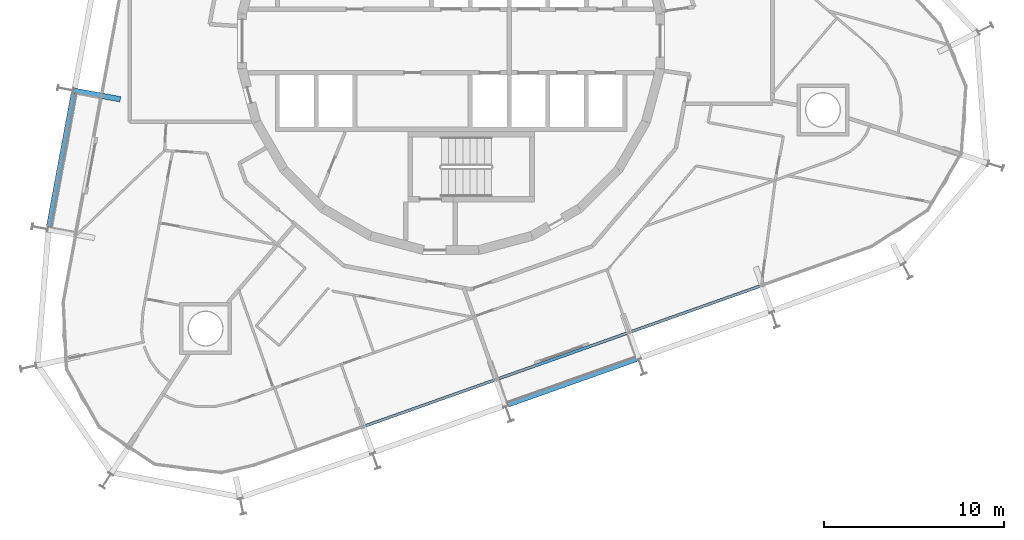
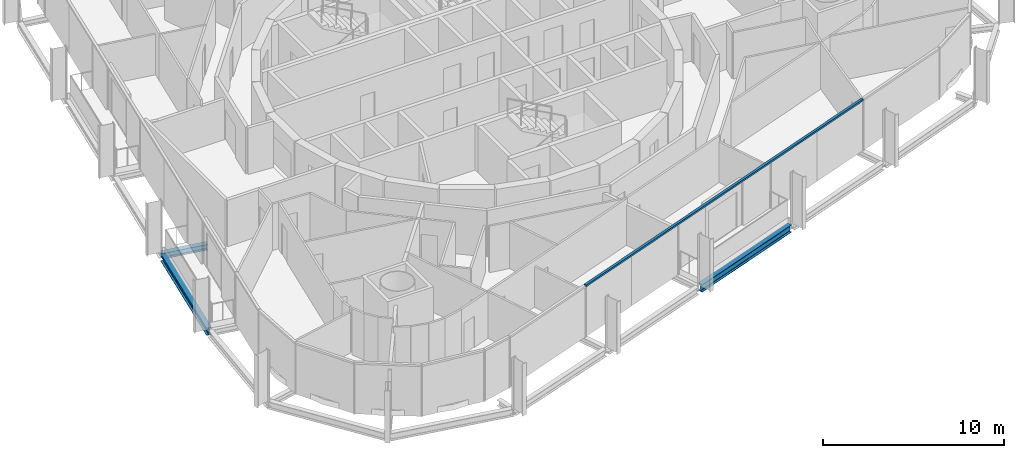
# One storey, part 3 of 17: 3 beams, 1 member, 1 element without a shape of its own.
"""IFC4 building model written with IfcOpenShell, lengths in metres."""

from ifc_helpers import new_model, si_unit, direction, frame, origin, origin_2d, place, context, subcontext, project, spatial, rectangle, i_section, extrude, material, layer, layer_set, material_profile, profile_set, type_object, element, aggregate, save


model = new_model("IFC4")

# Units and contexts
model_context = context("Model", 3, precision=1e-05, world=origin(), true_north=direction((0.0, 1.0)))
body_context = subcontext(model_context, "Body", "Model", "MODEL_VIEW")
ifc_project = project(units=[si_unit("LENGTHUNIT", "METRE"), si_unit("AREAUNIT", "SQUARE_METRE"), si_unit("VOLUMEUNIT", "CUBIC_METRE"), si_unit("PLANEANGLEUNIT", "RADIAN"), si_unit("MASSUNIT", "GRAM", prefix="KILO")], contexts=[model_context])

# Site, building, storey
site_placement = place(None, origin())
site = spatial("IfcSite", under=ifc_project, at=site_placement, CompositionType="ELEMENT")
building_placement = place(site_placement, origin())
building = spatial("IfcBuilding", under=site, at=building_placement, Name="Spindle Arch Residences", CompositionType="ELEMENT")
storey_placement = place(building_placement, frame((0.0, 0.0, 176.199951171875)))
storey = spatial("IfcBuildingStorey", under=building, at=storey_placement, Name="L44", CompositionType="ELEMENT", Elevation=176.199951171875)

# Curtain wall, member
ifc_material_1 = material(Name="Aluminium bronze unitised frame with tinted glass", Category="aluminium")
ifc_layer = layer(ifc_material_1, 0.159912109375)
ifc_layer_set = layer_set([ifc_layer], Name="CW-C typical residential unitised wall")
curtain_wall_type = type_object("IfcCurtainWallType", Name="CW-C typical residential unitised wall", PredefinedType="NOTDEFINED", material=ifc_layer_set)
curtain_wall_placement = place(storey_placement, origin())
curtain_wall = element("IfcCurtainWall", 1, at=curtain_wall_placement, inside=storey, type_object=curtain_wall_type, Name="CW-C L44 run 6", PredefinedType="NOTDEFINED")
ifc_material_2 = material(Name="Aluminium bronze anodised transom", Category="aluminium")
ifc_material_profile_1 = material_profile(ifc_material_2, rectangle(XDim=0.159912109375, YDim=0.1201171875, at=origin_2d()), Name="TR 120x160")
ifc_profile_set_1 = profile_set([ifc_material_profile_1], Name="Aluminium bronze anodised transom")
member_type = type_object("IfcMemberType", Name="Bronze transom 120x160", PredefinedType="USERDEFINED", material=ifc_profile_set_1)
member_placement = place(storey_placement, frame((-4.87255859375, -21.470947265625, 3.06005859375), z_axis=(0.94264008639, 0.333810825963, 0.0), x_axis=(-0.333810825963, 0.94264008639, 0.0)))
member = element("IfcMember", 2, at=member_placement, type_object=member_type, Name="CW-C transom 00", ObjectType="TRANSOM", PredefinedType="USERDEFINED", context=body_context, shape_type="SweptSolid", body=[
    extrude(rectangle(XDim=0.159912109375, YDim=0.1201171875, at=origin_2d()), origin(), (0.0, 0.0, 1.0), 23.520263671875),
])
aggregate(curtain_wall, [member])

# Beams
ifc_material_3 = material(Name="Steel S460ML, intumescent coating R 120", Category="steel")
ifc_material_profile_2 = material_profile(ifc_material_3, i_section(OverallWidth=0.300048828125, OverallDepth=0.5, WebThickness=0.014404296875, FlangeThickness=0.028076171875, FilletRadius=0.027099609375, at=origin_2d()), Name="HEB 500")
ifc_profile_set_2 = profile_set([ifc_material_profile_2], Name="Steel S460ML, intumescent coating R 120")
beam_type_1 = type_object("IfcBeamType", Name="Exoskeleton edge beam HEB 500", PredefinedType="BEAM", material=ifc_profile_set_2)
for number, where, z_axis, x_axis, name in (
    (3, (-21.02294921875, -2.8974609375, -0.6298828125), (-0.182234195466, -0.983255154069, 0.0), (0.983255154069, -0.182234195466, 0.0), "Exoskeleton edge beam 16"),
    (4, (3.141845703125, -20.256103515625, -0.6298828125), (0.942633964352, 0.33382811333, 0.0), (-0.33382811333, 0.942633964352, 0.0), "Exoskeleton edge beam 22"),
):
    element("IfcBeam", number, at=place(storey_placement, frame(where, z_axis=z_axis, x_axis=x_axis)), inside=storey, type_object=beam_type_1, Name=name, PredefinedType="BEAM", context=body_context, shape_type="SweptSolid", body=[
        extrude(i_section(OverallWidth=0.300048828125, OverallDepth=0.5, WebThickness=0.014404296875, FlangeThickness=0.028076171875, FilletRadius=0.027099609375, at=origin_2d()), origin(), (0.0, 0.0, 1.0), 7.60009765625),
    ])
ifc_material_4 = material(Name="Steel S460ML, intumescent coating R 120", Category="steel")
ifc_material_profile_3 = material_profile(ifc_material_4, i_section(OverallWidth=0.300048828125, OverallDepth=0.389892578125, WebThickness=0.010986328125, FlangeThickness=0.01904296875, FilletRadius=0.027099609375, at=origin_2d()), Name="HEA 400")
ifc_profile_set_3 = profile_set([ifc_material_profile_3], Name="Steel S460ML, intumescent coating R 120")
beam_type_2 = type_object("IfcBeamType", Name="Floor outrigger HEA 400", PredefinedType="BEAM", material=ifc_profile_set_3)
beam_placement = place(storey_placement, frame((-21.03857421875, -2.76220703125, -0.574951171875), z_axis=(0.983253888741, -0.182241022482, 0.0), x_axis=(0.182241022482, 0.983253888741, 0.0)))
element("IfcBeam", 5, at=beam_placement, inside=storey, type_object=beam_type_2, Name="Floor outrigger 16", PredefinedType="BEAM", context=body_context, shape_type="SweptSolid", body=[
    extrude(i_section(OverallWidth=0.300048828125, OverallDepth=0.389892578125, WebThickness=0.010986328125, FlangeThickness=0.01904296875, FilletRadius=0.027099609375, at=origin_2d()), origin(), (0.0, 0.0, 1.0), 2.64990234375),
])

save(model, "model.ifc")
